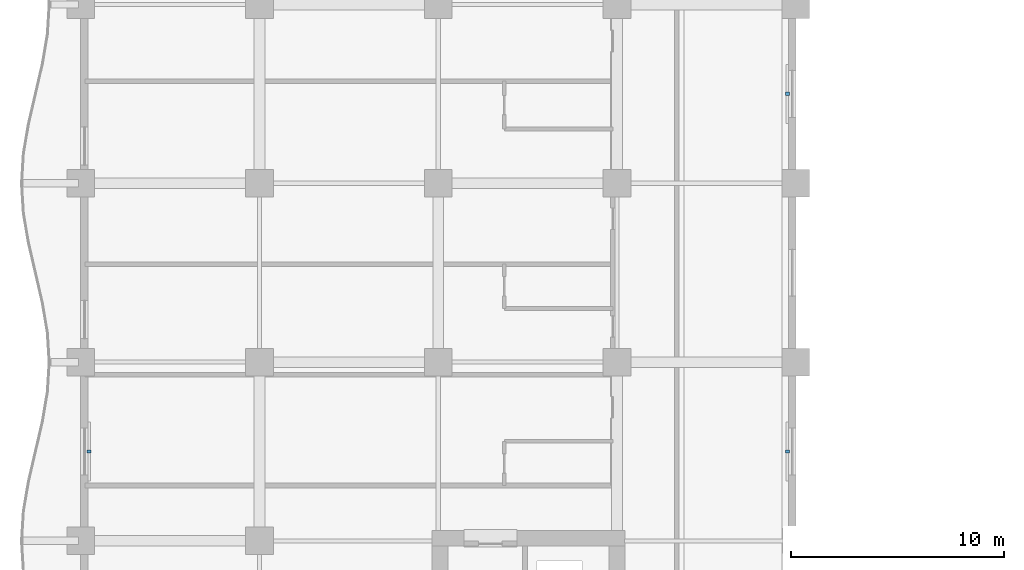
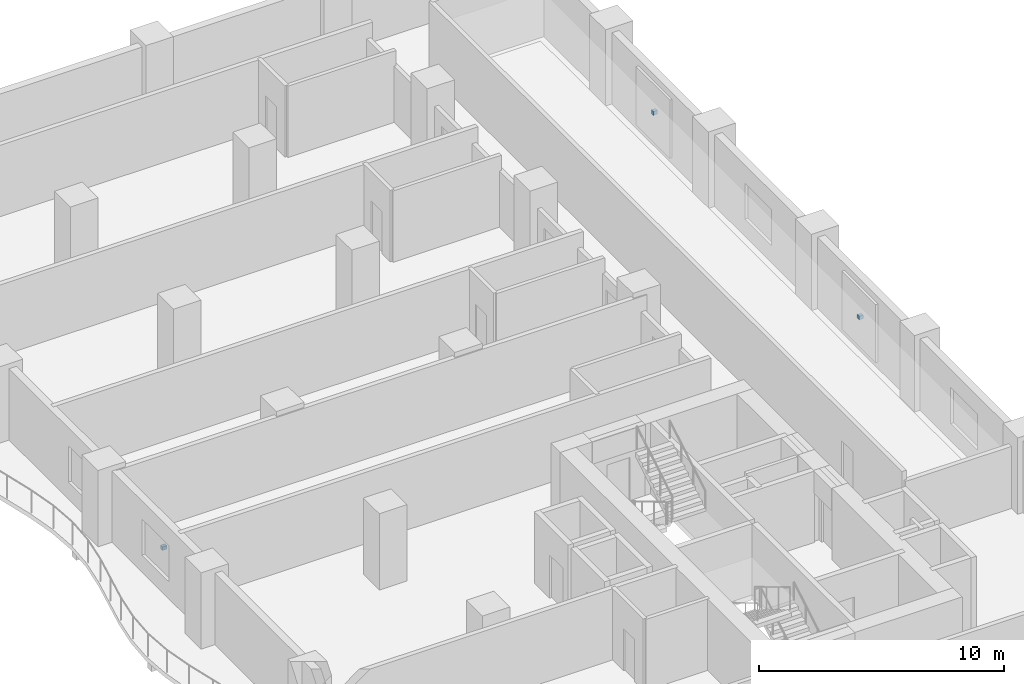
# One storey, part 20 of 24: 3 discrete accessories.
"""IFC4 building model written with IfcOpenShell, lengths in metres."""

from ifc_helpers import new_model, si_unit, direction, frame, origin, origin_2d, place, context, subcontext, project, spatial, rectangle, extrude, material, type_object, element, save


model = new_model("IFC4")

# Units and contexts
model_context = context("Model", 3, precision=1e-05, world=origin(), true_north=direction((0.0, 1.0)))
body_context = subcontext(model_context, "Body", "Model", "MODEL_VIEW")
ifc_project = project(units=[si_unit("LENGTHUNIT", "METRE"), si_unit("AREAUNIT", "SQUARE_METRE"), si_unit("VOLUMEUNIT", "CUBIC_METRE"), si_unit("PLANEANGLEUNIT", "RADIAN"), si_unit("MASSUNIT", "GRAM", prefix="KILO")], contexts=[model_context])

# Site, building, storey
site_placement = place(None, origin())
site = spatial("IfcSite", under=ifc_project, at=site_placement, CompositionType="ELEMENT")
building_placement = place(site_placement, origin())
building = spatial("IfcBuilding", under=site, at=building_placement, Name="Koriwani Terraces Tower", CompositionType="ELEMENT")
storey_placement = place(building_placement, frame((0.0, 0.0, 103.800048828125)))
storey = spatial("IfcBuildingStorey", under=building, at=storey_placement, Name="L24", CompositionType="ELEMENT", Elevation=103.800048828125)

# Discrete accessories
ifc_material = material(Name="Steel ASTM A572 Grade 50", Category="steel")
discrete_accessory_type = type_object("IfcDiscreteAccessoryType", Name="BAGUETTE_STANDOFF_BRACKET", PredefinedType="BRACKET", material=ifc_material)
for number, where, z_axis, x_axis, name in (
    (1, (0.389892578125, 63.0, 1.68505859375), (0.0, 0.0, 1.0), (0.0, 1.0, 0.0), "L24 Terracotta Baguette Bracket (W-21)"),
    (2, (33.2099609375, 63.0, 1.68505859375), (0.0, 0.0, 1.0), (0.0, -1.0, 0.0), "L24 Terracotta Baguette Bracket (NW_IN-11)"),
    (3, (33.2099609375, 79.800048828125, 1.68505859375), (0.0, 0.0, 1.0), (0.0, -1.0, 0.0), "L24 Terracotta Baguette Bracket (NW_IN-17)"),
):
    element("IfcDiscreteAccessory", number, at=place(storey_placement, frame(where, z_axis=z_axis, x_axis=x_axis)), inside=storey, type_object=discrete_accessory_type, Name=name, PredefinedType="BRACKET", context=body_context, shape_type="SweptSolid", body=[
        extrude(rectangle(XDim=0.159912109375, YDim=0.199951171875, at=origin_2d()), origin(), (0.0, 0.0, 1.0), 0.179931640625),
    ])

save(model, "model.ifc")
